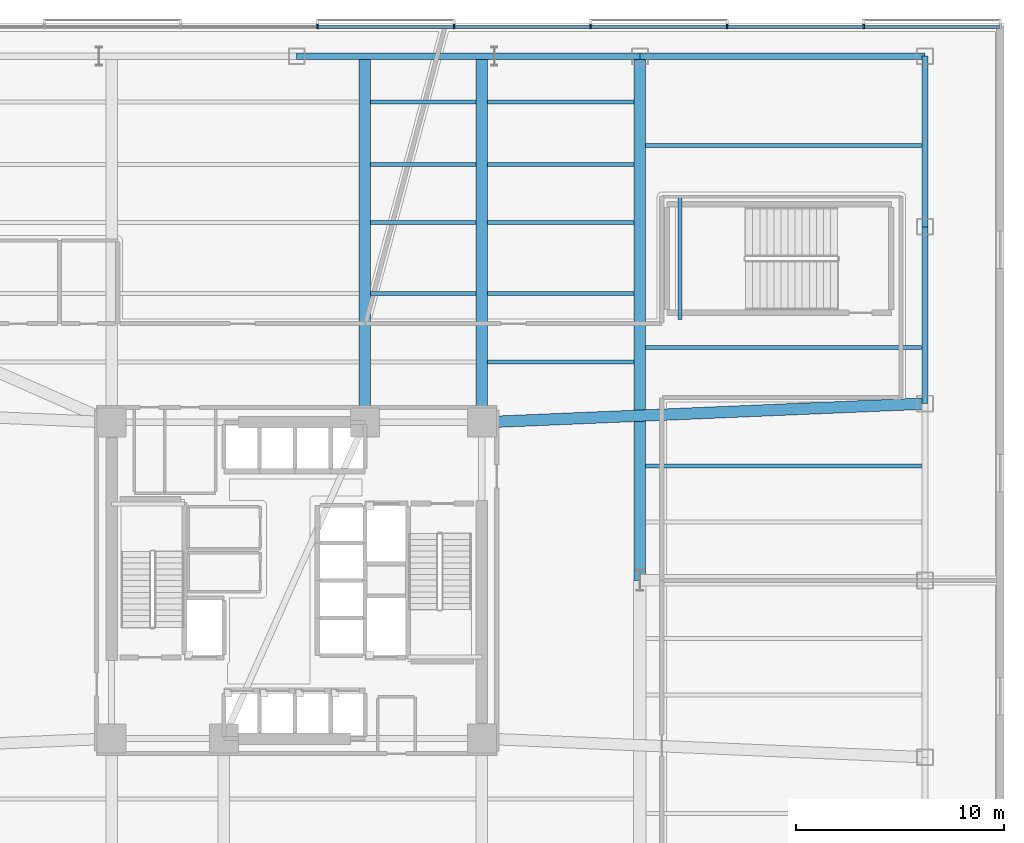
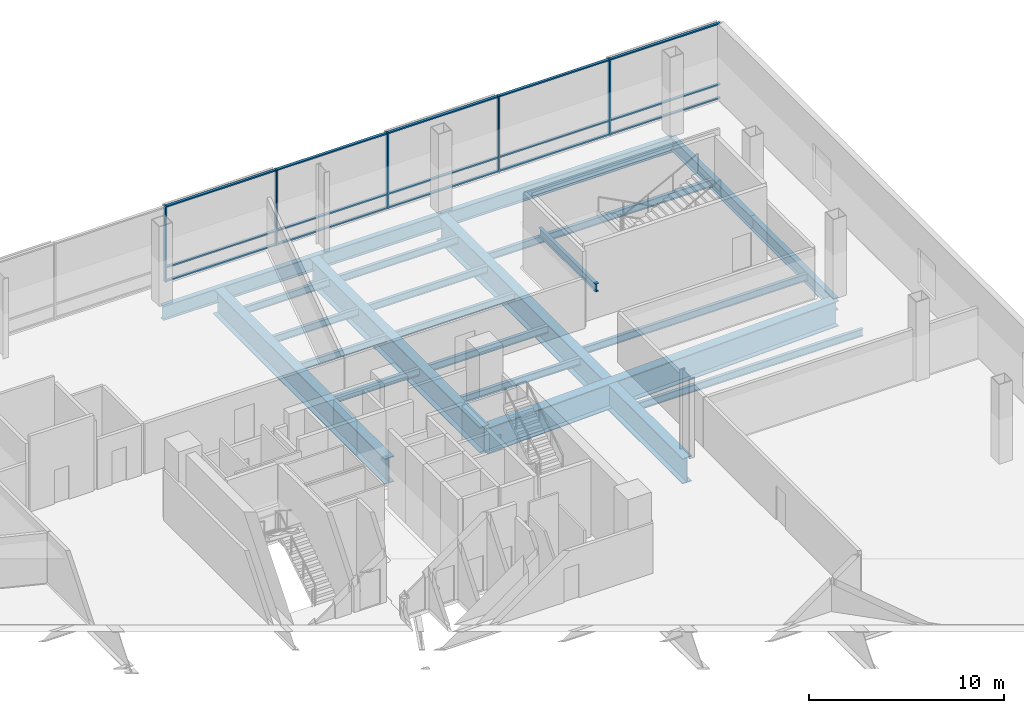
# One storey, part 7 of 24: 22 beams, 20 members, 1 element without a shape of its own.
"""IFC4 building model written with IfcOpenShell, lengths in metres."""

from ifc_helpers import new_model, si_unit, direction, frame, origin, origin_2d, place, context, subcontext, project, spatial, rectangle, i_section, extrude, material, layer, layer_set, material_profile, profile_set, type_object, element, aggregate, save


model = new_model("IFC4")

# Units and contexts
model_context = context("Model", 3, precision=1e-05, world=origin(), true_north=direction((0.0, 1.0)))
body_context = subcontext(model_context, "Body", "Model", "MODEL_VIEW")
ifc_project = project(units=[si_unit("LENGTHUNIT", "METRE"), si_unit("AREAUNIT", "SQUARE_METRE"), si_unit("VOLUMEUNIT", "CUBIC_METRE"), si_unit("PLANEANGLEUNIT", "RADIAN"), si_unit("MASSUNIT", "GRAM", prefix="KILO")], contexts=[model_context])

# Site, building, storey
site_placement = place(None, origin())
site = spatial("IfcSite", under=ifc_project, at=site_placement, CompositionType="ELEMENT")
building_placement = place(site_placement, origin())
building = spatial("IfcBuilding", under=site, at=building_placement, Name="Tharavind Bronze Gate", CompositionType="ELEMENT")
storey_placement = place(building_placement, frame((0.0, 0.0, 21.5)))
storey = spatial("IfcBuildingStorey", under=building, at=storey_placement, Name="L04", CompositionType="ELEMENT", Elevation=21.5)

# Curtain wall, members
ifc_material_1 = material(Name="Anodised Bronze Aluminium", Category="aluminium")
ifc_layer = layer(ifc_material_1, 0.219970703125)
ifc_layer_set = layer_set([ifc_layer], Name="Anodised Bronze Aluminium")
curtain_wall_type = type_object("IfcCurtainWallType", Name="UNITISED CURTAIN WALL PODIUM", PredefinedType="USERDEFINED", material=ifc_layer_set)
curtain_wall_placement = place(storey_placement, origin())
curtain_wall = element("IfcCurtainWall", 1, at=curtain_wall_placement, inside=storey, type_object=curtain_wall_type, Name="L04 unitised curtain wall podium CW-L04-S2", ObjectType="UNITISED CURTAIN WALL", PredefinedType="USERDEFINED")
member_type_1 = type_object("IfcMemberType", Name="CURTAIN WALL MULLION 80X220", PredefinedType="MULLION", material=ifc_material_1)
member_1_placement = place(storey_placement, frame((27.256103515625, 26.6201171875, 0.0), z_axis=(0.0, 0.0, 1.0), x_axis=(-1.0, 0.0, 0.0)))
member_1 = element("IfcMember", 2, at=member_1_placement, type_object=member_type_1, Name="CW-L04-S2 mullion 2", PredefinedType="MULLION", context=body_context, shape_type="SweptSolid", body=[
    extrude(rectangle(XDim=0.080078125, YDim=0.219970703125, at=origin_2d()), origin(), (0.0, 0.0, 1.0), 4.739990234375),
])
member_2_placement = place(storey_placement, frame((20.69189453125, 26.6201171875, 0.0), z_axis=(0.0, 0.0, 1.0), x_axis=(-1.0, 0.0, 0.0)))
member_2 = element("IfcMember", 3, at=member_2_placement, type_object=member_type_1, Name="CW-L04-S2 mullion 3", PredefinedType="MULLION", context=body_context, shape_type="SweptSolid", body=[
    extrude(rectangle(XDim=0.080078125, YDim=0.219970703125, at=origin_2d()), origin(), (0.0, 0.0, 1.0), 4.739990234375),
])
member_3_placement = place(storey_placement, frame((14.1279296875, 26.6201171875, 0.0), z_axis=(0.0, 0.0, 1.0), x_axis=(-1.0, 0.0, 0.0)))
member_3 = element("IfcMember", 4, at=member_3_placement, type_object=member_type_1, Name="CW-L04-S2 mullion 4", PredefinedType="MULLION", context=body_context, shape_type="SweptSolid", body=[
    extrude(rectangle(XDim=0.080078125, YDim=0.219970703125, at=origin_2d()), origin(), (0.0, 0.0, 1.0), 4.739990234375),
])
member_4_placement = place(storey_placement, frame((7.56396484375, 26.6201171875, 0.0), z_axis=(0.0, 0.0, 1.0), x_axis=(-1.0, 0.0, 0.0)))
member_4 = element("IfcMember", 5, at=member_4_placement, type_object=member_type_1, Name="CW-L04-S2 mullion 5", PredefinedType="MULLION", context=body_context, shape_type="SweptSolid", body=[
    extrude(rectangle(XDim=0.080078125, YDim=0.219970703125, at=origin_2d()), origin(), (0.0, 0.0, 1.0), 4.739990234375),
])
member_5_placement = place(storey_placement, frame((1.0, 26.6201171875, 0.0), z_axis=(0.0, 0.0, 1.0), x_axis=(-1.0, 0.0, 0.0)))
member_5 = element("IfcMember", 6, at=member_5_placement, type_object=member_type_1, Name="CW-L04-S2 mullion 6", PredefinedType="MULLION", context=body_context, shape_type="SweptSolid", body=[
    extrude(rectangle(XDim=0.080078125, YDim=0.219970703125, at=origin_2d()), origin(), (0.0, 0.0, 1.0), 4.739990234375),
])
member_type_2 = type_object("IfcMemberType", Name="CURTAIN WALL TRANSOM 80X160", PredefinedType="USERDEFINED", material=ifc_material_1)
member_6_placement = place(storey_placement, frame((30.5380859375, 26.6201171875, 0.0), z_axis=(0.0, 0.0, 1.0), x_axis=(-1.0, 0.0, 0.0)))
member_6 = element("IfcMember", 7, at=member_6_placement, type_object=member_type_2, Name="CW-L04-S2 transom TB1", ObjectType="TRANSOM", PredefinedType="USERDEFINED", context=body_context, shape_type="SweptSolid", body=[
    extrude(rectangle(XDim=6.49609375, YDim=0.159912109375, at=origin_2d()), origin(), (0.0, 0.0, 1.0), 0.080078125),
])
member_7_placement = place(storey_placement, frame((30.5380859375, 26.6201171875, 0.85986328125), z_axis=(0.0, 0.0, 1.0), x_axis=(-1.0, 0.0, 0.0)))
member_7 = element("IfcMember", 8, at=member_7_placement, type_object=member_type_2, Name="CW-L04-S2 transom TS1", ObjectType="TRANSOM", PredefinedType="USERDEFINED", context=body_context, shape_type="SweptSolid", body=[
    extrude(rectangle(XDim=6.49609375, YDim=0.159912109375, at=origin_2d()), origin(), (0.0, 0.0, 1.0), 0.080078125),
])
member_8_placement = place(storey_placement, frame((30.5380859375, 26.6201171875, 4.659912109375), z_axis=(0.0, 0.0, 1.0), x_axis=(-1.0, 0.0, 0.0)))
member_8 = element("IfcMember", 9, at=member_8_placement, type_object=member_type_2, Name="CW-L04-S2 transom TT1", ObjectType="TRANSOM", PredefinedType="USERDEFINED", context=body_context, shape_type="SweptSolid", body=[
    extrude(rectangle(XDim=6.49609375, YDim=0.159912109375, at=origin_2d()), origin(), (0.0, 0.0, 1.0), 0.080078125),
])
member_9_placement = place(storey_placement, frame((23.97412109375, 26.6201171875, 0.0), z_axis=(0.0, 0.0, 1.0), x_axis=(-1.0, 0.0, 0.0)))
member_9 = element("IfcMember", 10, at=member_9_placement, type_object=member_type_2, Name="CW-L04-S2 transom TB2", ObjectType="TRANSOM", PredefinedType="USERDEFINED", context=body_context, shape_type="SweptSolid", body=[
    extrude(rectangle(XDim=6.49609375, YDim=0.159912109375, at=origin_2d()), origin(), (0.0, 0.0, 1.0), 0.080078125),
])
member_10_placement = place(storey_placement, frame((23.97412109375, 26.6201171875, 0.85986328125), z_axis=(0.0, 0.0, 1.0), x_axis=(-1.0, 0.0, 0.0)))
member_10 = element("IfcMember", 11, at=member_10_placement, type_object=member_type_2, Name="CW-L04-S2 transom TS2", ObjectType="TRANSOM", PredefinedType="USERDEFINED", context=body_context, shape_type="SweptSolid", body=[
    extrude(rectangle(XDim=6.49609375, YDim=0.159912109375, at=origin_2d()), origin(), (0.0, 0.0, 1.0), 0.080078125),
])
member_11_placement = place(storey_placement, frame((23.97412109375, 26.6201171875, 4.659912109375), z_axis=(0.0, 0.0, 1.0), x_axis=(-1.0, 0.0, 0.0)))
member_11 = element("IfcMember", 12, at=member_11_placement, type_object=member_type_2, Name="CW-L04-S2 transom TT2", ObjectType="TRANSOM", PredefinedType="USERDEFINED", context=body_context, shape_type="SweptSolid", body=[
    extrude(rectangle(XDim=6.49609375, YDim=0.159912109375, at=origin_2d()), origin(), (0.0, 0.0, 1.0), 0.080078125),
])
member_12_placement = place(storey_placement, frame((17.409912109375, 26.6201171875, 0.0), z_axis=(0.0, 0.0, 1.0), x_axis=(-1.0, 0.0, 0.0)))
member_12 = element("IfcMember", 13, at=member_12_placement, type_object=member_type_2, Name="CW-L04-S2 transom TB3", ObjectType="TRANSOM", PredefinedType="USERDEFINED", context=body_context, shape_type="SweptSolid", body=[
    extrude(rectangle(XDim=6.49609375, YDim=0.159912109375, at=origin_2d()), origin(), (0.0, 0.0, 1.0), 0.080078125),
])
member_13_placement = place(storey_placement, frame((17.409912109375, 26.6201171875, 0.85986328125), z_axis=(0.0, 0.0, 1.0), x_axis=(-1.0, 0.0, 0.0)))
member_13 = element("IfcMember", 14, at=member_13_placement, type_object=member_type_2, Name="CW-L04-S2 transom TS3", ObjectType="TRANSOM", PredefinedType="USERDEFINED", context=body_context, shape_type="SweptSolid", body=[
    extrude(rectangle(XDim=6.49609375, YDim=0.159912109375, at=origin_2d()), origin(), (0.0, 0.0, 1.0), 0.080078125),
])
member_14_placement = place(storey_placement, frame((17.409912109375, 26.6201171875, 4.659912109375), z_axis=(0.0, 0.0, 1.0), x_axis=(-1.0, 0.0, 0.0)))
member_14 = element("IfcMember", 15, at=member_14_placement, type_object=member_type_2, Name="CW-L04-S2 transom TT3", ObjectType="TRANSOM", PredefinedType="USERDEFINED", context=body_context, shape_type="SweptSolid", body=[
    extrude(rectangle(XDim=6.49609375, YDim=0.159912109375, at=origin_2d()), origin(), (0.0, 0.0, 1.0), 0.080078125),
])
member_15_placement = place(storey_placement, frame((10.845947265625, 26.6201171875, 0.0), z_axis=(0.0, 0.0, 1.0), x_axis=(-1.0, 0.0, 0.0)))
member_15 = element("IfcMember", 16, at=member_15_placement, type_object=member_type_2, Name="CW-L04-S2 transom TB4", ObjectType="TRANSOM", PredefinedType="USERDEFINED", context=body_context, shape_type="SweptSolid", body=[
    extrude(rectangle(XDim=6.49609375, YDim=0.159912109375, at=origin_2d()), origin(), (0.0, 0.0, 1.0), 0.080078125),
])
member_16_placement = place(storey_placement, frame((10.845947265625, 26.6201171875, 0.85986328125), z_axis=(0.0, 0.0, 1.0), x_axis=(-1.0, 0.0, 0.0)))
member_16 = element("IfcMember", 17, at=member_16_placement, type_object=member_type_2, Name="CW-L04-S2 transom TS4", ObjectType="TRANSOM", PredefinedType="USERDEFINED", context=body_context, shape_type="SweptSolid", body=[
    extrude(rectangle(XDim=6.49609375, YDim=0.159912109375, at=origin_2d()), origin(), (0.0, 0.0, 1.0), 0.080078125),
])
member_17_placement = place(storey_placement, frame((10.845947265625, 26.6201171875, 4.659912109375), z_axis=(0.0, 0.0, 1.0), x_axis=(-1.0, 0.0, 0.0)))
member_17 = element("IfcMember", 18, at=member_17_placement, type_object=member_type_2, Name="CW-L04-S2 transom TT4", ObjectType="TRANSOM", PredefinedType="USERDEFINED", context=body_context, shape_type="SweptSolid", body=[
    extrude(rectangle(XDim=6.49609375, YDim=0.159912109375, at=origin_2d()), origin(), (0.0, 0.0, 1.0), 0.080078125),
])
member_18_placement = place(storey_placement, frame((4.281982421875, 26.6201171875, 0.0), z_axis=(0.0, 0.0, 1.0), x_axis=(-1.0, 0.0, 0.0)))
member_18 = element("IfcMember", 19, at=member_18_placement, type_object=member_type_2, Name="CW-L04-S2 transom TB5", ObjectType="TRANSOM", PredefinedType="USERDEFINED", context=body_context, shape_type="SweptSolid", body=[
    extrude(rectangle(XDim=6.49609375, YDim=0.159912109375, at=origin_2d()), origin(), (0.0, 0.0, 1.0), 0.080078125),
])
member_19_placement = place(storey_placement, frame((4.281982421875, 26.6201171875, 0.85986328125), z_axis=(0.0, 0.0, 1.0), x_axis=(-1.0, 0.0, 0.0)))
member_19 = element("IfcMember", 20, at=member_19_placement, type_object=member_type_2, Name="CW-L04-S2 transom TS5", ObjectType="TRANSOM", PredefinedType="USERDEFINED", context=body_context, shape_type="SweptSolid", body=[
    extrude(rectangle(XDim=6.49609375, YDim=0.159912109375, at=origin_2d()), origin(), (0.0, 0.0, 1.0), 0.080078125),
])
member_20_placement = place(storey_placement, frame((4.281982421875, 26.6201171875, 4.659912109375), z_axis=(0.0, 0.0, 1.0), x_axis=(-1.0, 0.0, 0.0)))
member_20 = element("IfcMember", 21, at=member_20_placement, type_object=member_type_2, Name="CW-L04-S2 transom TT5", ObjectType="TRANSOM", PredefinedType="USERDEFINED", context=body_context, shape_type="SweptSolid", body=[
    extrude(rectangle(XDim=6.49609375, YDim=0.159912109375, at=origin_2d()), origin(), (0.0, 0.0, 1.0), 0.080078125),
])
aggregate(curtain_wall, [member_1, member_2, member_3, member_4, member_5, member_6, member_7, member_8, member_9, member_10, member_11, member_12, member_13, member_14, member_15, member_16, member_17, member_18, member_19, member_20])

# Beams
ifc_material_2 = material(Name="Steel S355", Category="steel")
ifc_material_profile_1 = material_profile(ifc_material_2, i_section(OverallWidth=0.199951171875, OverallDepth=0.5, WebThickness=0.01025390625, FlangeThickness=0.01611328125, at=origin_2d()), Name="IPE500")
ifc_profile_set_1 = profile_set([ifc_material_profile_1], Name="Steel S355")
beam_type_1 = type_object("IfcBeamType", Name="PRIMARY GIRDER IPE500", PredefinedType="USERDEFINED", material=ifc_profile_set_1)
beam_1_placement = place(storey_placement, frame((18.419921875, 12.550048828125, 2.050048828125), z_axis=(0.0, 1.0, 0.0), x_axis=(-1.0, 0.0, 0.0)))
element("IfcBeam", 22, at=beam_1_placement, inside=storey, type_object=beam_type_1, Name="L04 primary girder ipe500 BM-LD-ST4-L04-1", ObjectType="GIRDER", PredefinedType="USERDEFINED", context=body_context, shape_type="SweptSolid", body=[
    extrude(i_section(OverallWidth=0.199951171875, OverallDepth=0.5, WebThickness=0.01025390625, FlangeThickness=0.01611328125, at=origin_2d()), origin(), (0.0, 0.0, 1.0), 5.849853515625),
])
ifc_material_profile_2 = material_profile(ifc_material_2, i_section(OverallWidth=0.300048828125, OverallDepth=0.800048828125, WebThickness=0.017578125, FlangeThickness=0.032958984375, at=origin_2d()), Name="HE800B")
ifc_profile_set_2 = profile_set([ifc_material_profile_2], Name="Steel S355")
beam_type_2 = type_object("IfcBeamType", Name="RING GIRDER HE800B", PredefinedType="USERDEFINED", material=ifc_profile_set_2)
beam_2_placement = place(storey_placement, frame((30.199951171875, 8.5, -0.659912109375), z_axis=(0.0, 1.0, 0.0), x_axis=(-1.0, 0.0, 0.0)))
element("IfcBeam", 23, at=beam_2_placement, inside=storey, type_object=beam_type_2, Name="L04 ring girder he800b BM-L04-PE5", ObjectType="GIRDER", PredefinedType="USERDEFINED", context=body_context, shape_type="SweptSolid", body=[
    extrude(i_section(OverallWidth=0.300048828125, OverallDepth=0.800048828125, WebThickness=0.017578125, FlangeThickness=0.032958984375, at=origin_2d()), origin(), (0.0, 0.0, 1.0), 8.5),
])
beam_3_placement = place(storey_placement, frame((30.199951171875, 17.0, -0.659912109375), z_axis=(0.0, 1.0, 0.0), x_axis=(-1.0, 0.0, 0.0)))
element("IfcBeam", 24, at=beam_3_placement, inside=storey, type_object=beam_type_2, Name="L04 ring girder he800b BM-L04-PE6", ObjectType="GIRDER", PredefinedType="USERDEFINED", context=body_context, shape_type="SweptSolid", body=[
    extrude(i_section(OverallWidth=0.300048828125, OverallDepth=0.800048828125, WebThickness=0.017578125, FlangeThickness=0.032958984375, at=origin_2d()), origin(), (0.0, 0.0, 1.0), 8.199951171875),
])
ifc_material_profile_3 = material_profile(ifc_material_2, i_section(OverallWidth=0.18994140625, OverallDepth=0.449951171875, WebThickness=0.009521484375, FlangeThickness=0.0146484375, at=origin_2d()), Name="IPE450")
ifc_profile_set_3 = profile_set([ifc_material_profile_3], Name="Steel S355")
beam_type_3 = type_object("IfcBeamType", Name="SECONDARY FLOOR JOIST IPE450", PredefinedType="JOIST", material=ifc_profile_set_3)
beam_4_placement = place(storey_placement, frame((9.177001953125, 10.5, -0.485107421875), z_axis=(1.0, 0.0, 0.0), x_axis=(0.0, 1.0, 0.0)))
element("IfcBeam", 25, at=beam_4_placement, inside=storey, type_object=beam_type_3, Name="L04 secondary floor joist ipe450 BM-L04-JSN1E", PredefinedType="JOIST", context=body_context, shape_type="SweptSolid", body=[
    extrude(i_section(OverallWidth=0.18994140625, OverallDepth=0.449951171875, WebThickness=0.009521484375, FlangeThickness=0.0146484375, at=origin_2d()), origin(), (0.0, 0.0, 1.0), 7.0458984375),
])
beam_5_placement = place(storey_placement, frame((3.556884765625, 13.800048828125, -0.485107421875), z_axis=(1.0, 0.0, 0.0), x_axis=(0.0, 1.0, 0.0)))
element("IfcBeam", 26, at=beam_5_placement, inside=storey, type_object=beam_type_3, Name="L04 secondary floor joist ipe450 BM-L04-JSN2B", PredefinedType="JOIST", context=body_context, shape_type="SweptSolid", body=[
    extrude(i_section(OverallWidth=0.18994140625, OverallDepth=0.449951171875, WebThickness=0.009521484375, FlangeThickness=0.0146484375, at=origin_2d()), origin(), (0.0, 0.0, 1.0), 5.066162109375),
])
beam_6_placement = place(storey_placement, frame((9.177001953125, 13.800048828125, -0.485107421875), z_axis=(1.0, 0.0, 0.0), x_axis=(0.0, 1.0, 0.0)))
element("IfcBeam", 27, at=beam_6_placement, inside=storey, type_object=beam_type_3, Name="L04 secondary floor joist ipe450 BM-L04-JSN2E", PredefinedType="JOIST", context=body_context, shape_type="SweptSolid", body=[
    extrude(i_section(OverallWidth=0.18994140625, OverallDepth=0.449951171875, WebThickness=0.009521484375, FlangeThickness=0.0146484375, at=origin_2d()), origin(), (0.0, 0.0, 1.0), 7.0458984375),
])
beam_7_placement = place(storey_placement, frame((3.556884765625, 17.199951171875, -0.485107421875), z_axis=(1.0, 0.0, 0.0), x_axis=(0.0, 1.0, 0.0)))
element("IfcBeam", 28, at=beam_7_placement, inside=storey, type_object=beam_type_3, Name="L04 secondary floor joist ipe450 BM-L04-JSN3B", PredefinedType="JOIST", context=body_context, shape_type="SweptSolid", body=[
    extrude(i_section(OverallWidth=0.18994140625, OverallDepth=0.449951171875, WebThickness=0.009521484375, FlangeThickness=0.0146484375, at=origin_2d()), origin(), (0.0, 0.0, 1.0), 5.066162109375),
])
beam_8_placement = place(storey_placement, frame((9.177001953125, 17.199951171875, -0.485107421875), z_axis=(1.0, 0.0, 0.0), x_axis=(0.0, 1.0, 0.0)))
element("IfcBeam", 29, at=beam_8_placement, inside=storey, type_object=beam_type_3, Name="L04 secondary floor joist ipe450 BM-L04-JSN3E", PredefinedType="JOIST", context=body_context, shape_type="SweptSolid", body=[
    extrude(i_section(OverallWidth=0.18994140625, OverallDepth=0.449951171875, WebThickness=0.009521484375, FlangeThickness=0.0146484375, at=origin_2d()), origin(), (0.0, 0.0, 1.0), 7.0458984375),
])
beam_9_placement = place(storey_placement, frame((3.556884765625, 20.0, -0.485107421875), z_axis=(1.0, 0.0, 0.0), x_axis=(0.0, 1.0, 0.0)))
element("IfcBeam", 30, at=beam_9_placement, inside=storey, type_object=beam_type_3, Name="L04 secondary floor joist ipe450 BM-L04-JSN4B", PredefinedType="JOIST", context=body_context, shape_type="SweptSolid", body=[
    extrude(i_section(OverallWidth=0.18994140625, OverallDepth=0.449951171875, WebThickness=0.009521484375, FlangeThickness=0.0146484375, at=origin_2d()), origin(), (0.0, 0.0, 1.0), 5.066162109375),
])
beam_10_placement = place(storey_placement, frame((9.177001953125, 20.0, -0.485107421875), z_axis=(1.0, 0.0, 0.0), x_axis=(0.0, 1.0, 0.0)))
element("IfcBeam", 31, at=beam_10_placement, inside=storey, type_object=beam_type_3, Name="L04 secondary floor joist ipe450 BM-L04-JSN4E", PredefinedType="JOIST", context=body_context, shape_type="SweptSolid", body=[
    extrude(i_section(OverallWidth=0.18994140625, OverallDepth=0.449951171875, WebThickness=0.009521484375, FlangeThickness=0.0146484375, at=origin_2d()), origin(), (0.0, 0.0, 1.0), 7.0458984375),
])
beam_11_placement = place(storey_placement, frame((3.556884765625, 23.0, -0.485107421875), z_axis=(1.0, 0.0, 0.0), x_axis=(0.0, 1.0, 0.0)))
element("IfcBeam", 32, at=beam_11_placement, inside=storey, type_object=beam_type_3, Name="L04 secondary floor joist ipe450 BM-L04-JSN5B", PredefinedType="JOIST", context=body_context, shape_type="SweptSolid", body=[
    extrude(i_section(OverallWidth=0.18994140625, OverallDepth=0.449951171875, WebThickness=0.009521484375, FlangeThickness=0.0146484375, at=origin_2d()), origin(), (0.0, 0.0, 1.0), 5.066162109375),
])
beam_12_placement = place(storey_placement, frame((9.177001953125, 23.0, -0.485107421875), z_axis=(1.0, 0.0, 0.0), x_axis=(0.0, 1.0, 0.0)))
element("IfcBeam", 33, at=beam_12_placement, inside=storey, type_object=beam_type_3, Name="L04 secondary floor joist ipe450 BM-L04-JSN5E", PredefinedType="JOIST", context=body_context, shape_type="SweptSolid", body=[
    extrude(i_section(OverallWidth=0.18994140625, OverallDepth=0.449951171875, WebThickness=0.009521484375, FlangeThickness=0.0146484375, at=origin_2d()), origin(), (0.0, 0.0, 1.0), 7.0458984375),
])
for number, where, z_axis, x_axis, name in (
    (34, (16.777099609375, 5.5, -0.485107421875), (1.0, 0.0, 0.0), (0.0, 1.0, 0.0), "L04 secondary floor joist ipe450 BM-L04-JSEE7"),
    (35, (16.777099609375, 11.199951171875, -0.485107421875), (1.0, 0.0, 0.0), (0.0, 1.0, 0.0), "L04 secondary floor joist ipe450 BM-L04-JSEE8"),
    (36, (16.777099609375, 20.89990234375, -0.485107421875), (1.0, 0.0, 0.0), (0.0, 1.0, 0.0), "L04 secondary floor joist ipe450 BM-L04-JSEE9"),
):
    element("IfcBeam", number, at=place(storey_placement, frame(where, z_axis=z_axis, x_axis=x_axis)), inside=storey, type_object=beam_type_3, Name=name, PredefinedType="JOIST", context=body_context, shape_type="SweptSolid", body=[
        extrude(i_section(OverallWidth=0.18994140625, OverallDepth=0.449951171875, WebThickness=0.009521484375, FlangeThickness=0.0146484375, at=origin_2d()), origin(), (0.0, 0.0, 1.0), 13.262939453125),
    ])
ifc_material_profile_4 = material_profile(ifc_material_2, i_section(OverallWidth=0.300048828125, OverallDepth=0.89990234375, WebThickness=0.0185546875, FlangeThickness=0.034912109375, at=origin_2d()), Name="HE900B")
ifc_profile_set_4 = profile_set([ifc_material_profile_4], Name="Steel S355")
beam_type_4 = type_object("IfcBeamType", Name="SPANDREL RING BEAM HE900B", PredefinedType="SPANDREL", material=ifc_profile_set_4)
beam_13_placement = place(storey_placement, frame((0.0, 25.199951171875, -0.7099609375), z_axis=(1.0, 0.0, 0.0), x_axis=(0.0, 1.0, 0.0)))
element("IfcBeam", 37, at=beam_13_placement, inside=storey, type_object=beam_type_4, Name="L04 spandrel ring beam he900b BM-L04-PN4", PredefinedType="SPANDREL", context=body_context, shape_type="SweptSolid", body=[
    extrude(i_section(OverallWidth=0.300048828125, OverallDepth=0.89990234375, WebThickness=0.0185546875, FlangeThickness=0.034912109375, at=origin_2d()), origin(), (0.0, 0.0, 1.0), 9.5),
])
beam_14_placement = place(storey_placement, frame((9.5, 25.199951171875, -0.7099609375), z_axis=(1.0, 0.0, 0.0), x_axis=(0.0, 1.0, 0.0)))
element("IfcBeam", 38, at=beam_14_placement, inside=storey, type_object=beam_type_4, Name="L04 spandrel ring beam he900b BM-L04-PN5", PredefinedType="SPANDREL", context=body_context, shape_type="SweptSolid", body=[
    extrude(i_section(OverallWidth=0.300048828125, OverallDepth=0.89990234375, WebThickness=0.0185546875, FlangeThickness=0.034912109375, at=origin_2d()), origin(), (0.0, 0.0, 1.0), 7.0),
])
beam_15_placement = place(storey_placement, frame((16.5, 25.199951171875, -0.7099609375), z_axis=(1.0, 0.0, 0.0), x_axis=(0.0, 1.0, 0.0)))
element("IfcBeam", 39, at=beam_15_placement, inside=storey, type_object=beam_type_4, Name="L04 spandrel ring beam he900b BM-L04-PN6", PredefinedType="SPANDREL", context=body_context, shape_type="SweptSolid", body=[
    extrude(i_section(OverallWidth=0.300048828125, OverallDepth=0.89990234375, WebThickness=0.0185546875, FlangeThickness=0.034912109375, at=origin_2d()), origin(), (0.0, 0.0, 1.0), 13.699951171875),
])
ifc_material_3 = material(Name="Steel S460", Category="steel")
ifc_material_profile_5 = material_profile(ifc_material_3, i_section(OverallWidth=0.550048828125, OverallDepth=1.60009765625, WebThickness=0.030029296875, FlangeThickness=0.050048828125, at=origin_2d()), Name="PG1600X550")
ifc_profile_set_5 = profile_set([ifc_material_profile_5], Name="Steel S460")
beam_type_5 = type_object("IfcBeamType", Name="TRANSFER GIRDER 1600X550", PredefinedType="USERDEFINED", material=ifc_profile_set_5)
beam_16_placement = place(storey_placement, frame((16.5, 0.0, -1.06005859375), z_axis=(0.0, 1.0, 0.0), x_axis=(-1.0, 0.0, 0.0)))
element("IfcBeam", 40, at=beam_16_placement, inside=storey, type_object=beam_type_5, Name="L04 transfer girder 1600x550 BM-L04-GS5N", ObjectType="TRANSFER GIRDER", PredefinedType="USERDEFINED", context=body_context, shape_type="SweptSolid", body=[
    extrude(i_section(OverallWidth=0.550048828125, OverallDepth=1.60009765625, WebThickness=0.030029296875, FlangeThickness=0.050048828125, at=origin_2d()), origin(), (0.0, 0.0, 1.0), 25.199951171875),
])
for number, where, z_axis, x_axis, name in (
    (41, (3.280029296875, 25.199951171875, -1.06005859375), (0.0, -1.0, 0.0), (1.0, 0.0, 0.0), "L04 transfer girder 1600x550 BM-L04-GN3"),
    (42, (8.89990234375, 25.199951171875, -1.06005859375), (0.0, -1.0, 0.0), (1.0, 0.0, 0.0), "L04 transfer girder 1600x550 BM-L04-GN4"),
):
    element("IfcBeam", number, at=place(storey_placement, frame(where, z_axis=z_axis, x_axis=x_axis)), inside=storey, type_object=beam_type_5, Name=name, ObjectType="TRANSFER GIRDER", PredefinedType="USERDEFINED", context=body_context, shape_type="SweptSolid", body=[
        extrude(i_section(OverallWidth=0.550048828125, OverallDepth=1.60009765625, WebThickness=0.030029296875, FlangeThickness=0.050048828125, at=origin_2d()), origin(), (0.0, 0.0, 1.0), 17.599853515625),
    ])
beam_17_placement = place(storey_placement, frame((30.199951171875, 8.5, -1.06005859375), z_axis=(-0.999108710794, -0.04221118354, 0.0), x_axis=(0.04221118354, -0.999108710794, 0.0)))
element("IfcBeam", 43, at=beam_17_placement, inside=storey, type_object=beam_type_5, Name="L04 transfer girder 1600x550 BM-L04-GE2", ObjectType="TRANSFER GIRDER", PredefinedType="USERDEFINED", context=body_context, shape_type="SweptSolid", body=[
    extrude(i_section(OverallWidth=0.550048828125, OverallDepth=1.60009765625, WebThickness=0.030029296875, FlangeThickness=0.050048828125, at=origin_2d()), origin(), (0.0, 0.0, 1.0), 21.319091796875),
])

save(model, "model.ifc")
